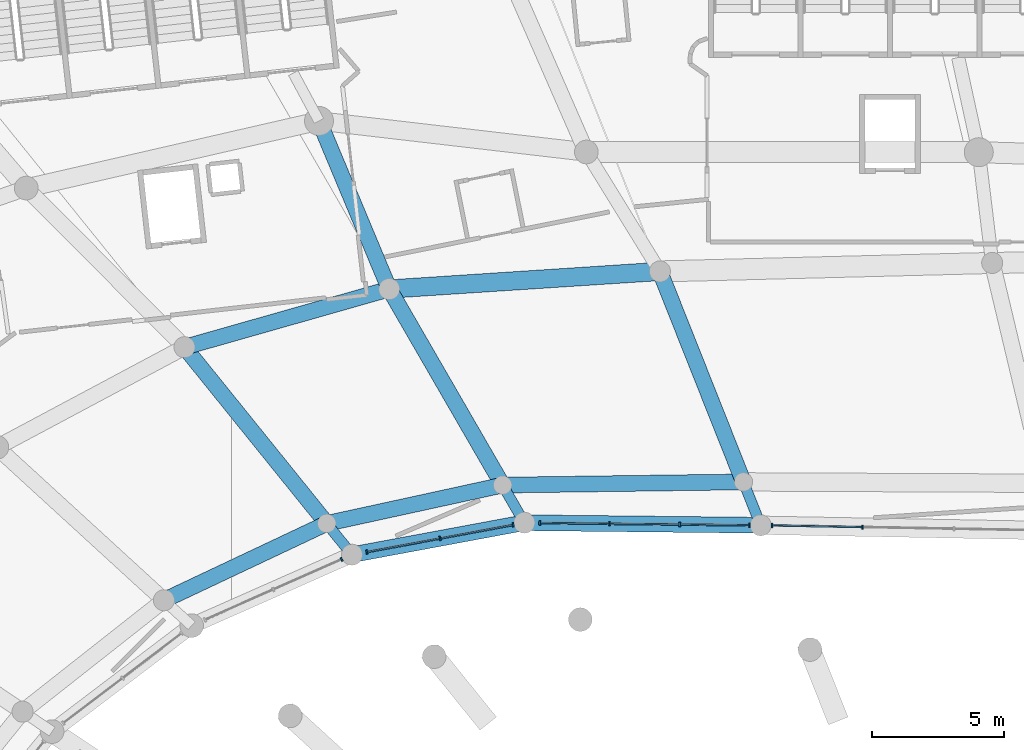
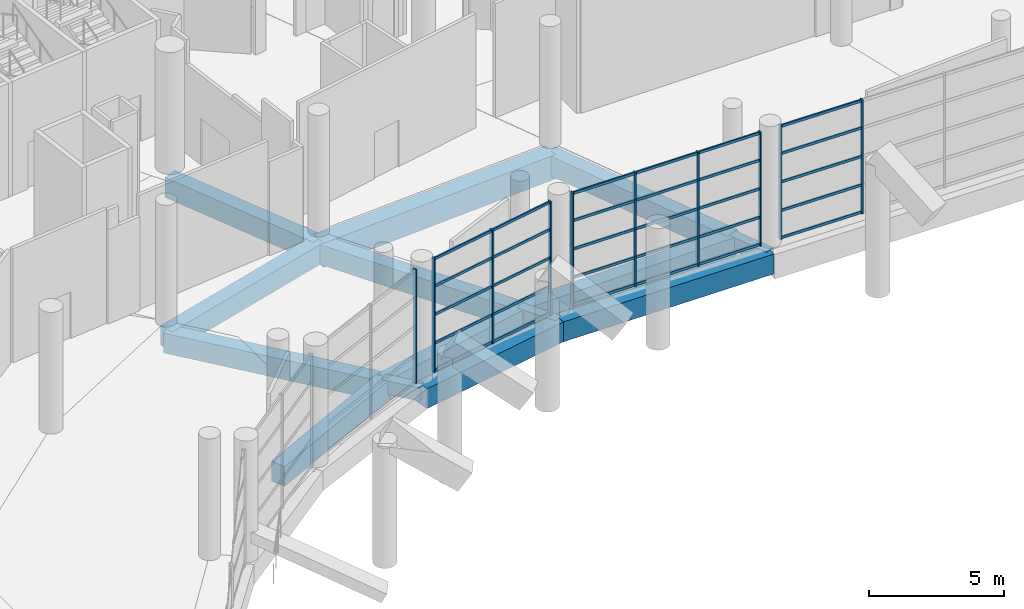
# One storey, part 82 of 271: 40 members, 14 beams, 4 elements without a shape of their own.
"""IFC4 building model written with IfcOpenShell, lengths in metres."""

from ifc_helpers import new_model, si_unit, direction, frame, origin, origin_2d, place, context, subcontext, project, spatial, rectangle, extrude, material, layer, layer_set, material_profile, profile_set, type_object, element, aggregate, save


model = new_model("IFC4")

# Units and contexts
model_context = context("Model", 3, precision=1e-05, world=origin(), true_north=direction((0.0, 1.0)))
body_context = subcontext(model_context, "Body", "Model", "MODEL_VIEW")
ifc_project = project(units=[si_unit("LENGTHUNIT", "METRE"), si_unit("AREAUNIT", "SQUARE_METRE"), si_unit("VOLUMEUNIT", "CUBIC_METRE"), si_unit("PLANEANGLEUNIT", "RADIAN"), si_unit("MASSUNIT", "GRAM", prefix="KILO")], contexts=[model_context])

# Site, building, storey
site_placement = place(None, origin())
site = spatial("IfcSite", under=ifc_project, at=site_placement, CompositionType="ELEMENT")
building_placement = place(site_placement, origin())
building = spatial("IfcBuilding", under=site, at=building_placement, Name="Meseta Stadium", CompositionType="ELEMENT")
storey_placement = place(building_placement, frame((0.0, 0.0, 6.5)))
storey = spatial("IfcBuildingStorey", under=building, at=storey_placement, Name="L01", CompositionType="ELEMENT", Elevation=6.5)

# Curtain wall, members
ifc_material_1 = material(Name="Aluminium", Category="aluminium")
ifc_layer = layer(ifc_material_1, 0.199951171875)
ifc_layer_set = layer_set([ifc_layer], Name="Club glazing curtain wall")
curtain_wall_type = type_object("IfcCurtainWallType", Name="Club glazing curtain wall", PredefinedType="NOTDEFINED", material=ifc_layer_set)
curtain_wall_1_placement = place(storey_placement, origin())
curtain_wall_1 = element("IfcCurtainWall", 1, at=curtain_wall_1_placement, inside=storey, type_object=curtain_wall_type, Name="Club glazing bay 20", PredefinedType="NOTDEFINED")
ifc_material_2 = material(Name="Aluminium", Category="aluminium")
ifc_material_profile_1 = material_profile(ifc_material_2, rectangle(XDim=0.159912109375, YDim=0.06005859375, at=origin_2d()), Name="CW 160x60")
ifc_profile_set_1 = profile_set([ifc_material_profile_1], Name="Aluminium")
member_type_1 = type_object("IfcMemberType", Name="CW mullion 60x160", PredefinedType="MULLION", material=ifc_profile_set_1)
member_1_placement = place(storey_placement, frame((-24.0400390625, 75.66455078125, 0.0), z_axis=(0.0, 0.0, 1.0), x_axis=(-0.018383858671, -0.99983100259, 0.0)))
member_1 = element("IfcMember", 2, at=member_1_placement, type_object=member_type_1, Name="CWC mullion 3", PredefinedType="MULLION", context=body_context, shape_type="SweptSolid", body=[
    extrude(rectangle(XDim=0.159912109375, YDim=0.06005859375, at=origin_2d()), origin(), (0.0, 0.0, 1.0), 5.14990234375),
])
member_2_placement = place(storey_placement, frame((-27.4814453125, 75.727783203125, 0.0), z_axis=(0.0, 0.0, 1.0), x_axis=(-0.018383858671, -0.99983100259, 0.0)))
member_2 = element("IfcMember", 3, at=member_2_placement, type_object=member_type_1, Name="CWC mullion 4", PredefinedType="MULLION", context=body_context, shape_type="SweptSolid", body=[
    extrude(rectangle(XDim=0.159912109375, YDim=0.06005859375, at=origin_2d()), origin(), (0.0, 0.0, 1.0), 5.14990234375),
])

curtain_wall_2_placement = place(storey_placement, origin())
curtain_wall_2 = element("IfcCurtainWall", 4, at=curtain_wall_2_placement, inside=storey, type_object=curtain_wall_type, Name="Club glazing bay 21", PredefinedType="NOTDEFINED")
member_3_placement = place(storey_placement, frame((-28.3408203125, 75.740234375, 0.0), z_axis=(0.0, 0.0, 1.0), x_axis=(-0.010842515481, -0.999941218201, 0.0)))
member_3 = element("IfcMember", 5, at=member_3_placement, type_object=member_type_1, Name="CWC mullion 1", PredefinedType="MULLION", context=body_context, shape_type="SweptSolid", body=[
    extrude(rectangle(XDim=0.159912109375, YDim=0.06005859375, at=origin_2d()), origin(), (0.0, 0.0, 1.0), 5.14990234375),
])
member_4_placement = place(storey_placement, frame((-30.983642578125, 75.76904296875, 0.0), z_axis=(0.0, 0.0, 1.0), x_axis=(-0.010842515481, -0.999941218201, 0.0)))
member_4 = element("IfcMember", 6, at=member_4_placement, type_object=member_type_1, Name="CWC mullion 2", PredefinedType="MULLION", context=body_context, shape_type="SweptSolid", body=[
    extrude(rectangle(XDim=0.159912109375, YDim=0.06005859375, at=origin_2d()), origin(), (0.0, 0.0, 1.0), 5.14990234375),
])
member_5_placement = place(storey_placement, frame((-33.656494140625, 75.7978515625, 0.0), z_axis=(0.0, 0.0, 1.0), x_axis=(-0.010842515481, -0.999941218201, 0.0)))
member_5 = element("IfcMember", 7, at=member_5_placement, type_object=member_type_1, Name="CWC mullion 3", PredefinedType="MULLION", context=body_context, shape_type="SweptSolid", body=[
    extrude(rectangle(XDim=0.159912109375, YDim=0.06005859375, at=origin_2d()), origin(), (0.0, 0.0, 1.0), 5.14990234375),
])
member_6_placement = place(storey_placement, frame((-36.29931640625, 75.82666015625, 0.0), z_axis=(0.0, 0.0, 1.0), x_axis=(-0.010842515481, -0.999941218201, 0.0)))
member_6 = element("IfcMember", 8, at=member_6_placement, type_object=member_type_1, Name="CWC mullion 4", PredefinedType="MULLION", context=body_context, shape_type="SweptSolid", body=[
    extrude(rectangle(XDim=0.159912109375, YDim=0.06005859375, at=origin_2d()), origin(), (0.0, 0.0, 1.0), 5.14990234375),
])

curtain_wall_3_placement = place(storey_placement, origin())
curtain_wall_3 = element("IfcCurtainWall", 9, at=curtain_wall_3_placement, inside=storey, type_object=curtain_wall_type, Name="Club glazing bay 22", PredefinedType="NOTDEFINED")
member_7_placement = place(storey_placement, frame((-37.308349609375, 75.75439453125, 0.0), z_axis=(0.0, 0.0, 1.0), x_axis=(0.182600324962, -0.983187225977, 0.0)))
member_7 = element("IfcMember", 10, at=member_7_placement, type_object=member_type_1, Name="CWC mullion 1", PredefinedType="MULLION", context=body_context, shape_type="SweptSolid", body=[
    extrude(rectangle(XDim=0.159912109375, YDim=0.06005859375, at=origin_2d()), origin(), (0.0, 0.0, 1.0), 5.14990234375),
])
member_8_placement = place(storey_placement, frame((-40.087158203125, 75.23828125, 0.0), z_axis=(0.0, 0.0, 1.0), x_axis=(0.182600324962, -0.983187225977, 0.0)))
member_8 = element("IfcMember", 11, at=member_8_placement, type_object=member_type_1, Name="CWC mullion 2", PredefinedType="MULLION", context=body_context, shape_type="SweptSolid", body=[
    extrude(rectangle(XDim=0.159912109375, YDim=0.06005859375, at=origin_2d()), origin(), (0.0, 0.0, 1.0), 5.14990234375),
])
member_9_placement = place(storey_placement, frame((-42.86572265625, 74.722412109375, 0.0), z_axis=(0.0, 0.0, 1.0), x_axis=(0.182600324962, -0.983187225977, 0.0)))
member_9 = element("IfcMember", 12, at=member_9_placement, type_object=member_type_1, Name="CWC mullion 3", PredefinedType="MULLION", context=body_context, shape_type="SweptSolid", body=[
    extrude(rectangle(XDim=0.159912109375, YDim=0.06005859375, at=origin_2d()), origin(), (0.0, 0.0, 1.0), 5.14990234375),
])

# Curtain wall, member
curtain_wall_4_placement = place(storey_placement, origin())
curtain_wall_4 = element("IfcCurtainWall", 13, at=curtain_wall_4_placement, inside=storey, type_object=curtain_wall_type, Name="Club glazing bay 23", PredefinedType="NOTDEFINED")
member_10_placement = place(storey_placement, frame((-43.823486328125, 74.443603515625, 0.0), z_axis=(0.0, 0.0, 1.0), x_axis=(0.40452428424, -0.914527256817, 0.0)))
member_10 = element("IfcMember", 14, at=member_10_placement, type_object=member_type_1, Name="CWC mullion 1", PredefinedType="MULLION", context=body_context, shape_type="SweptSolid", body=[
    extrude(rectangle(XDim=0.159912109375, YDim=0.06005859375, at=origin_2d()), origin(), (0.0, 0.0, 1.0), 5.14990234375),
])
aggregate(curtain_wall_4, [member_10])

# Member
ifc_material_3 = material(Name="Aluminium", Category="aluminium")
ifc_material_profile_2 = material_profile(ifc_material_3, rectangle(XDim=0.06005859375, YDim=0.1201171875, at=origin_2d()), Name="CW 60x120")
ifc_profile_set_2 = profile_set([ifc_material_profile_2], Name="Aluminium")
member_type_2 = type_object("IfcMemberType", Name="CW transom 60x120", PredefinedType="USERDEFINED", material=ifc_profile_set_2)
member_11_placement = place(storey_placement, frame((-24.06982421875, 75.6650390625, 0.06005859375), z_axis=(-0.99983057491, 0.018407103935, 0.0), x_axis=(-0.018407103935, -0.99983057491, 0.0)))
member_11 = element("IfcMember", 15, at=member_11_placement, type_object=member_type_2, Name="CWC transom 3.1", ObjectType="TRANSOM", PredefinedType="USERDEFINED", context=body_context, shape_type="SweptSolid", body=[
    extrude(rectangle(XDim=0.06005859375, YDim=0.1201171875, at=origin_2d()), origin(), (0.0, 0.0, 1.0), 3.382080078125),
])

member_12_placement = place(storey_placement, frame((-24.06982421875, 75.6650390625, 1.28759765625), z_axis=(-0.99983057491, 0.018407103935, 0.0), x_axis=(-0.018407103935, -0.99983057491, 0.0)))
member_12 = element("IfcMember", 16, at=member_12_placement, type_object=member_type_2, Name="CWC transom 3.2", ObjectType="TRANSOM", PredefinedType="USERDEFINED", context=body_context, shape_type="SweptSolid", body=[
    extrude(rectangle(XDim=0.06005859375, YDim=0.1201171875, at=origin_2d()), origin(), (0.0, 0.0, 1.0), 3.382080078125),
])

member_13_placement = place(storey_placement, frame((-24.06982421875, 75.6650390625, 2.574951171875), z_axis=(-0.99983057491, 0.018407103935, 0.0), x_axis=(-0.018407103935, -0.99983057491, 0.0)))
member_13 = element("IfcMember", 17, at=member_13_placement, type_object=member_type_2, Name="CWC transom 3.3", ObjectType="TRANSOM", PredefinedType="USERDEFINED", context=body_context, shape_type="SweptSolid", body=[
    extrude(rectangle(XDim=0.06005859375, YDim=0.1201171875, at=origin_2d()), origin(), (0.0, 0.0, 1.0), 3.382080078125),
])

member_14_placement = place(storey_placement, frame((-24.06982421875, 75.6650390625, 3.862548828125), z_axis=(-0.99983057491, 0.018407103935, 0.0), x_axis=(-0.018407103935, -0.99983057491, 0.0)))
member_14 = element("IfcMember", 18, at=member_14_placement, type_object=member_type_2, Name="CWC transom 3.4", ObjectType="TRANSOM", PredefinedType="USERDEFINED", context=body_context, shape_type="SweptSolid", body=[
    extrude(rectangle(XDim=0.06005859375, YDim=0.1201171875, at=origin_2d()), origin(), (0.0, 0.0, 1.0), 3.382080078125),
])

member_15_placement = place(storey_placement, frame((-24.06982421875, 75.6650390625, 5.090087890625), z_axis=(-0.99983057491, 0.018407103935, 0.0), x_axis=(-0.018407103935, -0.99983057491, 0.0)))
member_15 = element("IfcMember", 19, at=member_15_placement, type_object=member_type_2, Name="CWC transom 3.5", ObjectType="TRANSOM", PredefinedType="USERDEFINED", context=body_context, shape_type="SweptSolid", body=[
    extrude(rectangle(XDim=0.06005859375, YDim=0.1201171875, at=origin_2d()), origin(), (0.0, 0.0, 1.0), 3.382080078125),
])

aggregate(curtain_wall_1, [member_1, member_2, member_11, member_12, member_13, member_14, member_15])

member_16_placement = place(storey_placement, frame((-28.370849609375, 75.74072265625, 0.06005859375), z_axis=(-0.999941943259, 0.010775440167, 0.0), x_axis=(-0.010775440167, -0.999941943259, 0.0)))
member_16 = element("IfcMember", 20, at=member_16_placement, type_object=member_type_2, Name="CWC transom 1.1", ObjectType="TRANSOM", PredefinedType="USERDEFINED", context=body_context, shape_type="SweptSolid", body=[
    extrude(rectangle(XDim=0.06005859375, YDim=0.1201171875, at=origin_2d()), origin(), (0.0, 0.0, 1.0), 2.5830078125),
])

member_17_placement = place(storey_placement, frame((-28.370849609375, 75.74072265625, 1.28759765625), z_axis=(-0.999941943259, 0.010775440167, 0.0), x_axis=(-0.010775440167, -0.999941943259, 0.0)))
member_17 = element("IfcMember", 21, at=member_17_placement, type_object=member_type_2, Name="CWC transom 1.2", ObjectType="TRANSOM", PredefinedType="USERDEFINED", context=body_context, shape_type="SweptSolid", body=[
    extrude(rectangle(XDim=0.06005859375, YDim=0.1201171875, at=origin_2d()), origin(), (0.0, 0.0, 1.0), 2.5830078125),
])

member_18_placement = place(storey_placement, frame((-28.370849609375, 75.74072265625, 2.574951171875), z_axis=(-0.999941943259, 0.010775440167, 0.0), x_axis=(-0.010775440167, -0.999941943259, 0.0)))
member_18 = element("IfcMember", 22, at=member_18_placement, type_object=member_type_2, Name="CWC transom 1.3", ObjectType="TRANSOM", PredefinedType="USERDEFINED", context=body_context, shape_type="SweptSolid", body=[
    extrude(rectangle(XDim=0.06005859375, YDim=0.1201171875, at=origin_2d()), origin(), (0.0, 0.0, 1.0), 2.5830078125),
])

member_19_placement = place(storey_placement, frame((-28.370849609375, 75.74072265625, 3.862548828125), z_axis=(-0.999941943259, 0.010775440167, 0.0), x_axis=(-0.010775440167, -0.999941943259, 0.0)))
member_19 = element("IfcMember", 23, at=member_19_placement, type_object=member_type_2, Name="CWC transom 1.4", ObjectType="TRANSOM", PredefinedType="USERDEFINED", context=body_context, shape_type="SweptSolid", body=[
    extrude(rectangle(XDim=0.06005859375, YDim=0.1201171875, at=origin_2d()), origin(), (0.0, 0.0, 1.0), 2.5830078125),
])

member_20_placement = place(storey_placement, frame((-28.370849609375, 75.74072265625, 5.090087890625), z_axis=(-0.999941943259, 0.010775440167, 0.0), x_axis=(-0.010775440167, -0.999941943259, 0.0)))
member_20 = element("IfcMember", 24, at=member_20_placement, type_object=member_type_2, Name="CWC transom 1.5", ObjectType="TRANSOM", PredefinedType="USERDEFINED", context=body_context, shape_type="SweptSolid", body=[
    extrude(rectangle(XDim=0.06005859375, YDim=0.1201171875, at=origin_2d()), origin(), (0.0, 0.0, 1.0), 2.5830078125),
])

member_21_placement = place(storey_placement, frame((-31.013671875, 75.769287109375, 0.06005859375), z_axis=(-0.99994126218, 0.010838458831, 0.0), x_axis=(-0.010838458831, -0.99994126218, 0.0)))
member_21 = element("IfcMember", 25, at=member_21_placement, type_object=member_type_2, Name="CWC transom 2.1", ObjectType="TRANSOM", PredefinedType="USERDEFINED", context=body_context, shape_type="SweptSolid", body=[
    extrude(rectangle(XDim=0.06005859375, YDim=0.1201171875, at=origin_2d()), origin(), (0.0, 0.0, 1.0), 2.613037109375),
])

member_22_placement = place(storey_placement, frame((-31.013671875, 75.769287109375, 1.28759765625), z_axis=(-0.99994126218, 0.010838458831, 0.0), x_axis=(-0.010838458831, -0.99994126218, 0.0)))
member_22 = element("IfcMember", 26, at=member_22_placement, type_object=member_type_2, Name="CWC transom 2.2", ObjectType="TRANSOM", PredefinedType="USERDEFINED", context=body_context, shape_type="SweptSolid", body=[
    extrude(rectangle(XDim=0.06005859375, YDim=0.1201171875, at=origin_2d()), origin(), (0.0, 0.0, 1.0), 2.613037109375),
])

member_23_placement = place(storey_placement, frame((-31.013671875, 75.769287109375, 2.574951171875), z_axis=(-0.99994126218, 0.010838458831, 0.0), x_axis=(-0.010838458831, -0.99994126218, 0.0)))
member_23 = element("IfcMember", 27, at=member_23_placement, type_object=member_type_2, Name="CWC transom 2.3", ObjectType="TRANSOM", PredefinedType="USERDEFINED", context=body_context, shape_type="SweptSolid", body=[
    extrude(rectangle(XDim=0.06005859375, YDim=0.1201171875, at=origin_2d()), origin(), (0.0, 0.0, 1.0), 2.613037109375),
])

member_24_placement = place(storey_placement, frame((-31.013671875, 75.769287109375, 3.862548828125), z_axis=(-0.99994126218, 0.010838458831, 0.0), x_axis=(-0.010838458831, -0.99994126218, 0.0)))
member_24 = element("IfcMember", 28, at=member_24_placement, type_object=member_type_2, Name="CWC transom 2.4", ObjectType="TRANSOM", PredefinedType="USERDEFINED", context=body_context, shape_type="SweptSolid", body=[
    extrude(rectangle(XDim=0.06005859375, YDim=0.1201171875, at=origin_2d()), origin(), (0.0, 0.0, 1.0), 2.613037109375),
])

member_25_placement = place(storey_placement, frame((-31.013671875, 75.769287109375, 5.090087890625), z_axis=(-0.99994126218, 0.010838458831, 0.0), x_axis=(-0.010838458831, -0.99994126218, 0.0)))
member_25 = element("IfcMember", 29, at=member_25_placement, type_object=member_type_2, Name="CWC transom 2.5", ObjectType="TRANSOM", PredefinedType="USERDEFINED", context=body_context, shape_type="SweptSolid", body=[
    extrude(rectangle(XDim=0.06005859375, YDim=0.1201171875, at=origin_2d()), origin(), (0.0, 0.0, 1.0), 2.613037109375),
])

member_26_placement = place(storey_placement, frame((-33.6865234375, 75.79833984375, 0.06005859375), z_axis=(-0.999941943259, 0.010775440167, 0.0), x_axis=(-0.010775440167, -0.999941943259, 0.0)))
member_26 = element("IfcMember", 30, at=member_26_placement, type_object=member_type_2, Name="CWC transom 3.1", ObjectType="TRANSOM", PredefinedType="USERDEFINED", context=body_context, shape_type="SweptSolid", body=[
    extrude(rectangle(XDim=0.06005859375, YDim=0.1201171875, at=origin_2d()), origin(), (0.0, 0.0, 1.0), 2.5830078125),
])

member_27_placement = place(storey_placement, frame((-33.6865234375, 75.79833984375, 1.28759765625), z_axis=(-0.999941943259, 0.010775440167, 0.0), x_axis=(-0.010775440167, -0.999941943259, 0.0)))
member_27 = element("IfcMember", 31, at=member_27_placement, type_object=member_type_2, Name="CWC transom 3.2", ObjectType="TRANSOM", PredefinedType="USERDEFINED", context=body_context, shape_type="SweptSolid", body=[
    extrude(rectangle(XDim=0.06005859375, YDim=0.1201171875, at=origin_2d()), origin(), (0.0, 0.0, 1.0), 2.5830078125),
])

member_28_placement = place(storey_placement, frame((-33.6865234375, 75.79833984375, 2.574951171875), z_axis=(-0.999941943259, 0.010775440167, 0.0), x_axis=(-0.010775440167, -0.999941943259, 0.0)))
member_28 = element("IfcMember", 32, at=member_28_placement, type_object=member_type_2, Name="CWC transom 3.3", ObjectType="TRANSOM", PredefinedType="USERDEFINED", context=body_context, shape_type="SweptSolid", body=[
    extrude(rectangle(XDim=0.06005859375, YDim=0.1201171875, at=origin_2d()), origin(), (0.0, 0.0, 1.0), 2.5830078125),
])

member_29_placement = place(storey_placement, frame((-33.6865234375, 75.79833984375, 3.862548828125), z_axis=(-0.999941943259, 0.010775440167, 0.0), x_axis=(-0.010775440167, -0.999941943259, 0.0)))
member_29 = element("IfcMember", 33, at=member_29_placement, type_object=member_type_2, Name="CWC transom 3.4", ObjectType="TRANSOM", PredefinedType="USERDEFINED", context=body_context, shape_type="SweptSolid", body=[
    extrude(rectangle(XDim=0.06005859375, YDim=0.1201171875, at=origin_2d()), origin(), (0.0, 0.0, 1.0), 2.5830078125),
])

member_30_placement = place(storey_placement, frame((-33.6865234375, 75.79833984375, 5.090087890625), z_axis=(-0.999941943259, 0.010775440167, 0.0), x_axis=(-0.010775440167, -0.999941943259, 0.0)))
member_30 = element("IfcMember", 34, at=member_30_placement, type_object=member_type_2, Name="CWC transom 3.5", ObjectType="TRANSOM", PredefinedType="USERDEFINED", context=body_context, shape_type="SweptSolid", body=[
    extrude(rectangle(XDim=0.06005859375, YDim=0.1201171875, at=origin_2d()), origin(), (0.0, 0.0, 1.0), 2.5830078125),
])

aggregate(curtain_wall_2, [member_3, member_4, member_5, member_6, member_16, member_17, member_18, member_19, member_20, member_21, member_22, member_23, member_24, member_25, member_26, member_27, member_28, member_29, member_30])

member_31_placement = place(storey_placement, frame((-37.337890625, 75.7490234375, 0.06005859375), z_axis=(-0.983186472546, -0.182604381661, 0.0), x_axis=(0.182604381661, -0.983186472546, 0.0)))
member_31 = element("IfcMember", 35, at=member_31_placement, type_object=member_type_2, Name="CWC transom 1.1", ObjectType="TRANSOM", PredefinedType="USERDEFINED", context=body_context, shape_type="SweptSolid", body=[
    extrude(rectangle(XDim=0.06005859375, YDim=0.1201171875, at=origin_2d()), origin(), (0.0, 0.0, 1.0), 2.766357421875),
])

member_32_placement = place(storey_placement, frame((-37.337890625, 75.7490234375, 1.28759765625), z_axis=(-0.983186472546, -0.182604381661, 0.0), x_axis=(0.182604381661, -0.983186472546, 0.0)))
member_32 = element("IfcMember", 36, at=member_32_placement, type_object=member_type_2, Name="CWC transom 1.2", ObjectType="TRANSOM", PredefinedType="USERDEFINED", context=body_context, shape_type="SweptSolid", body=[
    extrude(rectangle(XDim=0.06005859375, YDim=0.1201171875, at=origin_2d()), origin(), (0.0, 0.0, 1.0), 2.766357421875),
])

member_33_placement = place(storey_placement, frame((-37.337890625, 75.7490234375, 2.574951171875), z_axis=(-0.983186472546, -0.182604381661, 0.0), x_axis=(0.182604381661, -0.983186472546, 0.0)))
member_33 = element("IfcMember", 37, at=member_33_placement, type_object=member_type_2, Name="CWC transom 1.3", ObjectType="TRANSOM", PredefinedType="USERDEFINED", context=body_context, shape_type="SweptSolid", body=[
    extrude(rectangle(XDim=0.06005859375, YDim=0.1201171875, at=origin_2d()), origin(), (0.0, 0.0, 1.0), 2.766357421875),
])

member_34_placement = place(storey_placement, frame((-37.337890625, 75.7490234375, 3.862548828125), z_axis=(-0.983186472546, -0.182604381661, 0.0), x_axis=(0.182604381661, -0.983186472546, 0.0)))
member_34 = element("IfcMember", 38, at=member_34_placement, type_object=member_type_2, Name="CWC transom 1.4", ObjectType="TRANSOM", PredefinedType="USERDEFINED", context=body_context, shape_type="SweptSolid", body=[
    extrude(rectangle(XDim=0.06005859375, YDim=0.1201171875, at=origin_2d()), origin(), (0.0, 0.0, 1.0), 2.766357421875),
])

member_35_placement = place(storey_placement, frame((-37.337890625, 75.7490234375, 5.090087890625), z_axis=(-0.983186472546, -0.182604381661, 0.0), x_axis=(0.182604381661, -0.983186472546, 0.0)))
member_35 = element("IfcMember", 39, at=member_35_placement, type_object=member_type_2, Name="CWC transom 1.5", ObjectType="TRANSOM", PredefinedType="USERDEFINED", context=body_context, shape_type="SweptSolid", body=[
    extrude(rectangle(XDim=0.06005859375, YDim=0.1201171875, at=origin_2d()), origin(), (0.0, 0.0, 1.0), 2.766357421875),
])

member_36_placement = place(storey_placement, frame((-40.116455078125, 75.23291015625, 0.06005859375), z_axis=(-0.983186472546, -0.182604381661, 0.0), x_axis=(0.182604381661, -0.983186472546, 0.0)))
member_36 = element("IfcMember", 40, at=member_36_placement, type_object=member_type_2, Name="CWC transom 2.1", ObjectType="TRANSOM", PredefinedType="USERDEFINED", context=body_context, shape_type="SweptSolid", body=[
    extrude(rectangle(XDim=0.06005859375, YDim=0.1201171875, at=origin_2d()), origin(), (0.0, 0.0, 1.0), 2.766357421875),
])

member_37_placement = place(storey_placement, frame((-40.116455078125, 75.23291015625, 1.28759765625), z_axis=(-0.983186472546, -0.182604381661, 0.0), x_axis=(0.182604381661, -0.983186472546, 0.0)))
member_37 = element("IfcMember", 41, at=member_37_placement, type_object=member_type_2, Name="CWC transom 2.2", ObjectType="TRANSOM", PredefinedType="USERDEFINED", context=body_context, shape_type="SweptSolid", body=[
    extrude(rectangle(XDim=0.06005859375, YDim=0.1201171875, at=origin_2d()), origin(), (0.0, 0.0, 1.0), 2.766357421875),
])

member_38_placement = place(storey_placement, frame((-40.116455078125, 75.23291015625, 2.574951171875), z_axis=(-0.983186472546, -0.182604381661, 0.0), x_axis=(0.182604381661, -0.983186472546, 0.0)))
member_38 = element("IfcMember", 42, at=member_38_placement, type_object=member_type_2, Name="CWC transom 2.3", ObjectType="TRANSOM", PredefinedType="USERDEFINED", context=body_context, shape_type="SweptSolid", body=[
    extrude(rectangle(XDim=0.06005859375, YDim=0.1201171875, at=origin_2d()), origin(), (0.0, 0.0, 1.0), 2.766357421875),
])

member_39_placement = place(storey_placement, frame((-40.116455078125, 75.23291015625, 3.862548828125), z_axis=(-0.983186472546, -0.182604381661, 0.0), x_axis=(0.182604381661, -0.983186472546, 0.0)))
member_39 = element("IfcMember", 43, at=member_39_placement, type_object=member_type_2, Name="CWC transom 2.4", ObjectType="TRANSOM", PredefinedType="USERDEFINED", context=body_context, shape_type="SweptSolid", body=[
    extrude(rectangle(XDim=0.06005859375, YDim=0.1201171875, at=origin_2d()), origin(), (0.0, 0.0, 1.0), 2.766357421875),
])

member_40_placement = place(storey_placement, frame((-40.116455078125, 75.23291015625, 5.090087890625), z_axis=(-0.983186472546, -0.182604381661, 0.0), x_axis=(0.182604381661, -0.983186472546, 0.0)))
member_40 = element("IfcMember", 44, at=member_40_placement, type_object=member_type_2, Name="CWC transom 2.5", ObjectType="TRANSOM", PredefinedType="USERDEFINED", context=body_context, shape_type="SweptSolid", body=[
    extrude(rectangle(XDim=0.06005859375, YDim=0.1201171875, at=origin_2d()), origin(), (0.0, 0.0, 1.0), 2.766357421875),
])

aggregate(curtain_wall_3, [member_7, member_8, member_9, member_31, member_32, member_33, member_34, member_35, member_36, member_37, member_38, member_39, member_40])

# Beams
ifc_material_4 = material(Name="Concrete C40/50", Category="concrete")
ifc_material_profile_3 = material_profile(ifc_material_4, rectangle(XDim=0.39990234375, YDim=0.60009765625, at=origin_2d()), Name="RC 400x600")
ifc_profile_set_3 = profile_set([ifc_material_profile_3], Name="Concrete C40/50")
beam_type_1 = type_object("IfcBeamType", Name="RC beam 400x600", PredefinedType="BEAM", material=ifc_profile_set_3)
beam_1_placement = place(storey_placement, frame((-27.910888671875, 75.735595703125, -0.64990234375), z_axis=(-0.368824744702, 0.929498955188, 0.0), x_axis=(-0.929498955188, -0.368824744702, 0.0)))
element("IfcBeam", 45, at=beam_1_placement, inside=storey, type_object=beam_type_1, Name="L01 radial beam frame 21 line C to D", PredefinedType="BEAM", context=body_context, shape_type="SweptSolid", body=[
    extrude(rectangle(XDim=0.39990234375, YDim=0.60009765625, at=origin_2d()), origin(), (0.0, 0.0, 1.0), 1.772705078125),
])
beam_2_placement = place(storey_placement, frame((-36.885986328125, 75.8330078125, -0.64990234375), z_axis=(-0.500371262739, 0.865810949009, 0.0), x_axis=(-0.865810949009, -0.500371262739, 0.0)))
element("IfcBeam", 46, at=beam_2_placement, inside=storey, type_object=beam_type_1, Name="L01 radial beam frame 22 line C to D", PredefinedType="BEAM", context=body_context, shape_type="SweptSolid", body=[
    extrude(rectangle(XDim=0.39990234375, YDim=0.60009765625, at=origin_2d()), origin(), (0.0, 0.0, 1.0), 1.650146484375),
])
beam_3_placement = place(storey_placement, frame((-43.430419921875, 74.617431640625, -0.64990234375), z_axis=(-0.628002290607, 0.778211489887, 0.0), x_axis=(-0.778211489887, -0.628002290607, 0.0)))
element("IfcBeam", 47, at=beam_3_placement, inside=storey, type_object=beam_type_1, Name="L01 radial beam frame 23 line C to D", PredefinedType="BEAM", context=body_context, shape_type="SweptSolid", body=[
    extrude(rectangle(XDim=0.39990234375, YDim=0.60009765625, at=origin_2d()), origin(), (0.0, 0.0, 1.0), 1.52783203125),
])
ifc_material_5 = material(Name="Concrete C40/50", Category="concrete")
ifc_material_profile_4 = material_profile(ifc_material_5, rectangle(XDim=0.60009765625, YDim=0.89990234375, at=origin_2d()), Name="RC 600x900")
ifc_profile_set_4 = profile_set([ifc_material_profile_4], Name="Concrete C40/50")
beam_type_2 = type_object("IfcBeamType", Name="RC beam 600x900", PredefinedType="BEAM", material=ifc_profile_set_4)
beam_4_placement = place(storey_placement, frame((-27.910888671875, 75.735595703125, -0.800048828125), z_axis=(-0.9999411049, 0.010852959601, 0.0), x_axis=(-0.010852959601, -0.9999411049, 0.0)))
element("IfcBeam", 48, at=beam_4_placement, inside=storey, type_object=beam_type_2, Name="L01 ring beam frame 21 line C", PredefinedType="BEAM", context=body_context, shape_type="SweptSolid", body=[
    extrude(rectangle(XDim=0.60009765625, YDim=0.89990234375, at=origin_2d()), origin(), (0.0, 0.0, 1.0), 8.9755859375),
])
beam_5_placement = place(storey_placement, frame((-28.564697265625, 77.38330078125, -0.800048828125), z_axis=(-0.999911672388, -0.013290877405, 0.0), x_axis=(0.013290877405, -0.999911672388, 0.0)))
element("IfcBeam", 49, at=beam_5_placement, inside=storey, type_object=beam_type_2, Name="L01 ring beam frame 21 line D", PredefinedType="BEAM", context=body_context, shape_type="SweptSolid", body=[
    extrude(rectangle(XDim=0.60009765625, YDim=0.89990234375, at=origin_2d()), origin(), (0.0, 0.0, 1.0), 9.147705078125),
])
beam_6_placement = place(storey_placement, frame((-36.885986328125, 75.8330078125, -0.800048828125), z_axis=(-0.983183844392, -0.182618531718, 0.0), x_axis=(0.182618531718, -0.983183844392, 0.0)))
element("IfcBeam", 50, at=beam_6_placement, inside=storey, type_object=beam_type_2, Name="L01 ring beam frame 22 line C", PredefinedType="BEAM", context=body_context, shape_type="SweptSolid", body=[
    extrude(rectangle(XDim=0.60009765625, YDim=0.89990234375, at=origin_2d()), origin(), (0.0, 0.0, 1.0), 6.65625),
])
beam_7_placement = place(storey_placement, frame((-37.711669921875, 77.26171875, -0.800048828125), z_axis=(-0.977068887475, -0.212923434899, 0.0), x_axis=(0.212923434899, -0.977068887475, 0.0)))
element("IfcBeam", 51, at=beam_7_placement, inside=storey, type_object=beam_type_2, Name="L01 ring beam frame 22 line D", PredefinedType="BEAM", context=body_context, shape_type="SweptSolid", body=[
    extrude(rectangle(XDim=0.60009765625, YDim=0.89990234375, at=origin_2d()), origin(), (0.0, 0.0, 1.0), 6.8349609375),
])
beam_8_placement = place(storey_placement, frame((-42.015380859375, 84.707275390625, -0.800048828125), z_axis=(-0.961951325549, -0.273220876351, 0.0), x_axis=(0.273220876351, -0.961951325549, 0.0)))
element("IfcBeam", 52, at=beam_8_placement, inside=storey, type_object=beam_type_2, Name="L01 ring beam frame 22 line E", PredefinedType="BEAM", context=body_context, shape_type="SweptSolid", body=[
    extrude(rectangle(XDim=0.60009765625, YDim=0.89990234375, at=origin_2d()), origin(), (0.0, 0.0, 1.0), 8.083251953125),
])
beam_9_placement = place(storey_placement, frame((-44.389892578125, 75.806396484375, -0.800048828125), z_axis=(-0.904340564666, -0.426811601412, 0.0), x_axis=(0.426811601412, -0.904340564666, 0.0)))
element("IfcBeam", 53, at=beam_9_placement, inside=storey, type_object=beam_type_2, Name="L01 ring beam frame 23 line D", PredefinedType="BEAM", context=body_context, shape_type="SweptSolid", body=[
    extrude(rectangle(XDim=0.60009765625, YDim=0.89990234375, at=origin_2d()), origin(), (0.0, 0.0, 1.0), 6.83544921875),
])
for number, where, z_axis, x_axis, name in (
    (54, (-28.564697265625, 77.38330078125, -0.800048828125), (-0.36885875695, 0.929485458424, 0.0), (-0.929485458424, -0.36885875695, 0.0), "L01 radial beam frame 21 line D to E"),
    (55, (-37.711669921875, 77.26171875, -0.800048828125), (-0.500437453612, 0.865772692467, 0.0), (-0.865772692467, -0.500437453612, 0.0), "L01 radial beam frame 22 line D to E"),
):
    element("IfcBeam", number, at=place(storey_placement, frame(where, z_axis=z_axis, x_axis=x_axis)), inside=storey, type_object=beam_type_2, Name=name, PredefinedType="BEAM", context=body_context, shape_type="SweptSolid", body=[
        extrude(rectangle(XDim=0.60009765625, YDim=0.89990234375, at=origin_2d()), origin(), (0.0, 0.0, 1.0), 8.599853515625),
    ])
beam_10_placement = place(storey_placement, frame((-42.015380859375, 84.707275390625, -0.800048828125), z_axis=(-0.385529780444, 0.922695393069, 0.0), x_axis=(-0.922695393069, -0.385529780444, 0.0)))
element("IfcBeam", 56, at=beam_10_placement, inside=storey, type_object=beam_type_2, Name="L01 radial beam frame 22 line E to P", PredefinedType="BEAM", context=body_context, shape_type="SweptSolid", body=[
    extrude(rectangle(XDim=0.60009765625, YDim=0.89990234375, at=origin_2d()), origin(), (0.0, 0.0, 1.0), 6.91845703125),
])
beam_11_placement = place(storey_placement, frame((-44.389892578125, 75.806396484375, -0.800048828125), z_axis=(-0.628037063111, 0.778183427836, 0.0), x_axis=(-0.778183427836, -0.628037063111, 0.0)))
element("IfcBeam", 57, at=beam_11_placement, inside=storey, type_object=beam_type_2, Name="L01 radial beam frame 23 line D to E", PredefinedType="BEAM", context=body_context, shape_type="SweptSolid", body=[
    extrude(rectangle(XDim=0.60009765625, YDim=0.89990234375, at=origin_2d()), origin(), (0.0, 0.0, 1.0), 8.60009765625),
])
ifc_material_6 = material(Name="Concrete C40/50", Category="concrete")
ifc_material_profile_5 = material_profile(ifc_material_6, rectangle(XDim=0.699951171875, YDim=1.10009765625, at=origin_2d()), Name="RC 700x1100")
ifc_profile_set_5 = profile_set([ifc_material_profile_5], Name="Concrete C40/50")
beam_type_3 = type_object("IfcBeamType", Name="RC beam 700x1100", PredefinedType="BEAM", material=ifc_profile_set_5)
beam_12_placement = place(storey_placement, frame((-31.73681640625, 85.376708984375, -0.89990234375), z_axis=(-0.997885824096, -0.064991399959, 0.0), x_axis=(0.064991399959, -0.997885824096, 0.0)))
element("IfcBeam", 58, at=beam_12_placement, inside=storey, type_object=beam_type_3, Name="L01 ring beam frame 21 line E", PredefinedType="BEAM", context=body_context, shape_type="SweptSolid", body=[
    extrude(rectangle(XDim=0.699951171875, YDim=1.10009765625, at=origin_2d()), origin(), (0.0, 0.0, 1.0), 10.30029296875),
])

save(model, "model.ifc")
